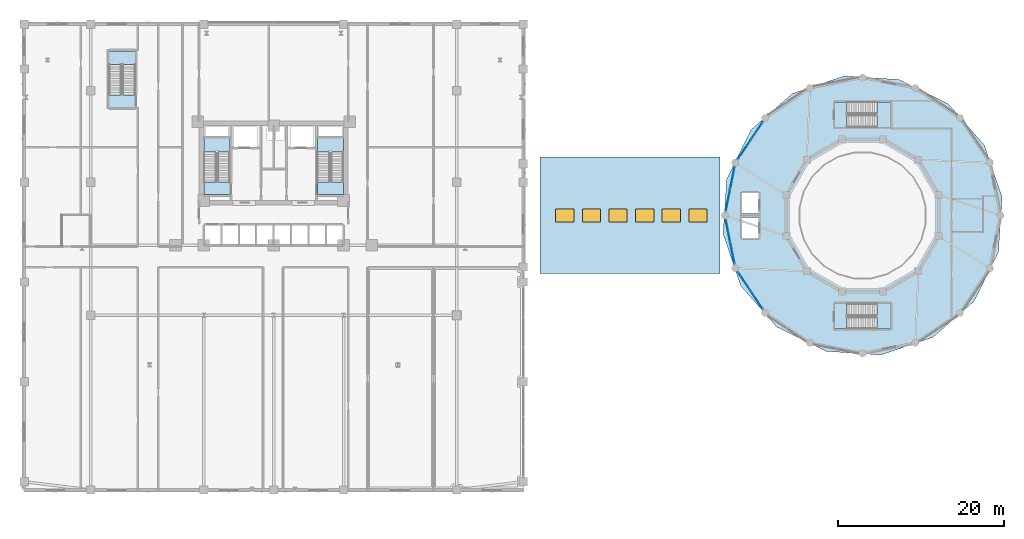
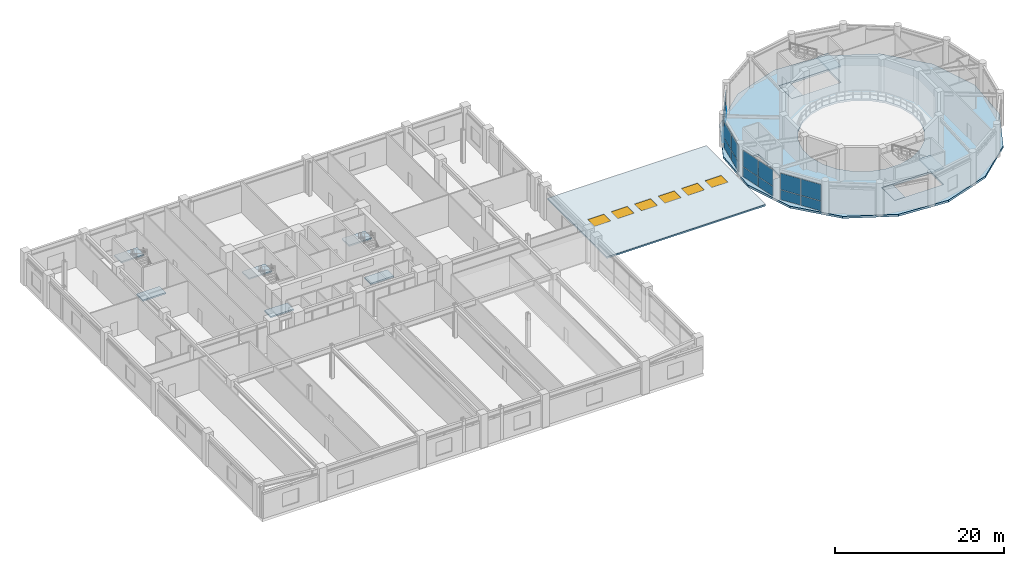
# One storey, part 16 of 34: 16 plates, 12 slabs, 6 windows, 6 openings, 9 elements without a shape of their own.
"""IFC4 building model written with IfcOpenShell, lengths in metres."""

from ifc_helpers import new_model, si_unit, derived_unit, direction, frame, origin, origin_2d, place, context, subcontext, project, spatial, polyline, rectangle, outline, extrude, source, transform, mapped, material, layer, layer_set, type_object, element, fill, aggregate, save


model = new_model("IFC4")

# Units and contexts
model_context = context("Model", 3, precision=1e-05, world=origin(), true_north=direction((0.0, 1.0)))
body_context = subcontext(model_context, "Body", "Model", "MODEL_VIEW")
ifc_project = project(units=[si_unit("LENGTHUNIT", "METRE"), si_unit("AREAUNIT", "SQUARE_METRE"), si_unit("VOLUMEUNIT", "CUBIC_METRE"), si_unit("PLANEANGLEUNIT", "RADIAN"), si_unit("MASSUNIT", "GRAM", prefix="KILO"), derived_unit("THERMALTRANSMITTANCEUNIT", [(si_unit("POWERUNIT", "WATT"), 1), (si_unit("LENGTHUNIT", "METRE"), -2), (si_unit("THERMODYNAMICTEMPERATUREUNIT", "KELVIN"), -1)])], contexts=[model_context])

# Site, building, storey
site_placement = place(None, origin())
site = spatial("IfcSite", under=ifc_project, at=site_placement, CompositionType="ELEMENT")
building_placement = place(site_placement, origin())
building = spatial("IfcBuilding", under=site, at=building_placement, Name="Korsvarv Bourse and Concert Hall", CompositionType="ELEMENT")
storey_placement = place(building_placement, frame((0.0, 0.0, 14.39990234375)))
storey = spatial("IfcBuildingStorey", under=building, at=storey_placement, Name="L03", CompositionType="ELEMENT", Elevation=14.39990234375)

# Slabs
ifc_material_1 = material(Name="Concrete C45/55", Category="concrete")
ifc_layer_1 = layer(ifc_material_1, 0.300048828125)
ifc_layer_set_1 = layer_set([ifc_layer_1], Name="Concrete C45/55")
slab_type_1 = type_object("IfcSlabType", Name="SLB-CH0", PredefinedType="FLOOR", material=ifc_layer_set_1)
slab_1_placement = place(storey_placement, frame((0.0, 0.0, -0.2998046875)))
element("IfcSlab", 1, at=slab_1_placement, inside=storey, type_object=slab_type_1, Name="L03 Concert Hall floor slab", PredefinedType="FLOOR", context=body_context, shape_type="SweptSolid", body=[
    extrude(outline(polyline([(123.572509765625, 38.2080078125), (121.45068359375, 44.45849609375), (117.098388671875, 49.42138671875), (111.178466796875, 52.3408203125), (104.591796875, 52.7724609375), (98.34130859375, 50.650634765625), (93.378662109375, 46.298583984375), (90.459228515625, 40.37841796875), (90.027587890625, 33.7919921875), (92.1494140625, 27.54150390625), (96.50146484375, 22.57861328125), (102.42138671875, 19.6591796875), (109.008056640625, 19.2275390625), (115.258544921875, 21.349365234375), (120.22119140625, 25.701416015625), (123.140625, 31.62158203125), (123.572509765625, 38.2080078125)]), holes=[polyline([(103.449951171875, 46.60009765625), (110.14990234375, 46.60009765625), (110.14990234375, 49.659912109375), (103.449951171875, 49.659912109375), (103.449951171875, 46.60009765625)]), polyline([(103.449951171875, 22.340087890625), (110.14990234375, 22.340087890625), (110.14990234375, 25.39990234375), (103.449951171875, 25.39990234375), (103.449951171875, 22.340087890625)]), polyline([(92.320068359375, 36.219970703125), (94.280029296875, 36.219970703125), (94.280029296875, 38.679931640625), (92.320068359375, 38.679931640625), (92.320068359375, 36.219970703125)]), polyline([(92.320068359375, 33.320068359375), (94.280029296875, 33.320068359375), (94.280029296875, 35.780029296875), (92.320068359375, 35.780029296875), (92.320068359375, 33.320068359375)]), polyline([(114.278564453125, 36.984619140625), (113.768798828125, 38.88671875), (112.7841796875, 40.591796875), (111.391845703125, 41.984375), (109.6865234375, 42.968994140625), (107.78466796875, 43.478515625), (105.8154296875, 43.478515625), (103.913330078125, 42.968994140625), (102.2080078125, 41.984375), (100.815673828125, 40.591796875), (99.8310546875, 38.88671875), (99.321533203125, 36.984619140625), (99.321533203125, 35.015380859375), (99.8310546875, 33.11328125), (100.815673828125, 31.408203125), (102.2080078125, 30.015625), (103.913330078125, 29.031005859375), (105.8154296875, 28.521484375), (107.78466796875, 28.521484375), (109.6865234375, 29.031005859375), (111.391845703125, 30.015625), (112.7841796875, 31.408203125), (113.768798828125, 33.11328125), (114.278564453125, 35.015380859375), (114.278564453125, 36.984619140625)])]), origin(), (0.0, 0.0, 1.0), 0.2998046875),
])
ifc_material_2 = material(Name="Precast concrete C45/55", Category="concrete")
ifc_layer_2 = layer(ifc_material_2, 0.199951171875)
ifc_layer_set_2 = layer_set([ifc_layer_2], Name="Precast concrete C45/55")
slab_type_2 = type_object("IfcSlabType", Name="SLB-FLND-T", PredefinedType="LANDING", material=ifc_layer_set_2)
slab_2_placement = place(storey_placement, frame((0.0, 0.0, -0.199951171875)))
element("IfcSlab", 2, at=slab_2_placement, inside=storey, type_object=slab_type_2, Name="L03 Stair ST-T1 Floor Landing Slab", PredefinedType="LANDING", context=body_context, shape_type="SweptSolid", body=[
    extrude(outline(polyline([(30.760009765625, 38.5), (30.760009765625, 40.0), (27.60009765625, 40.0), (27.60009765625, 38.5), (30.760009765625, 38.5)])), origin(), (0.0, 0.0, 1.0), 0.199951171875),
])
slab_3_placement = place(storey_placement, frame((0.0, 0.0, -0.199951171875)))
element("IfcSlab", 3, at=slab_3_placement, inside=storey, type_object=slab_type_2, Name="L03 Stair ST-T2 Floor Landing Slab", PredefinedType="LANDING", context=body_context, shape_type="SweptSolid", body=[
    extrude(outline(polyline([(44.39990234375, 38.5), (44.39990234375, 40.0), (41.239990234375, 40.0), (41.239990234375, 38.5), (44.39990234375, 38.5)])), origin(), (0.0, 0.0, 1.0), 0.199951171875),
])
slab_4_placement = place(storey_placement, frame((0.0, 0.0, -0.199951171875)))
element("IfcSlab", 4, at=slab_4_placement, inside=storey, type_object=slab_type_2, Name="L03 Stair ST-PD1 Floor Landing Slab", PredefinedType="LANDING", context=body_context, shape_type="SweptSolid", body=[
    extrude(outline(polyline([(19.360107421875, 49.0), (19.360107421875, 50.5), (16.199951171875, 50.5), (16.199951171875, 49.0), (19.360107421875, 49.0)])), origin(), (0.0, 0.0, 1.0), 0.199951171875),
])
slab_5_placement = place(storey_placement, frame((0.0, 0.0, -0.199951171875)))
element("IfcSlab", 5, at=slab_5_placement, inside=storey, type_object=slab_type_2, Name="L03 Stair ST-CH1 Floor Landing Slab", PredefinedType="LANDING", context=body_context, shape_type="SweptSolid", body=[
    extrude(outline(polyline([(103.449951171875, 46.60009765625), (104.89990234375, 46.60009765625), (104.89990234375, 49.659912109375), (103.449951171875, 49.659912109375), (103.449951171875, 46.60009765625)])), origin(), (0.0, 0.0, 1.0), 0.199951171875),
])
slab_6_placement = place(storey_placement, frame((0.0, 0.0, -0.199951171875)))
element("IfcSlab", 6, at=slab_6_placement, inside=storey, type_object=slab_type_2, Name="L03 Stair ST-CH2 Floor Landing Slab", PredefinedType="LANDING", context=body_context, shape_type="SweptSolid", body=[
    extrude(outline(polyline([(103.449951171875, 22.340087890625), (104.89990234375, 22.340087890625), (104.89990234375, 25.39990234375), (103.449951171875, 25.39990234375), (103.449951171875, 22.340087890625)])), origin(), (0.0, 0.0, 1.0), 0.199951171875),
])

# Slab, openings, windows
ifc_layer_3 = layer(ifc_material_1, 0.219970703125)
ifc_layer_set_3 = layer_set([ifc_layer_3], Name="Concrete C45/55")
slab_type_3 = type_object("IfcSlabType", Name="SLB-RF3", PredefinedType="ROOF", material=ifc_layer_set_3)
slab_7_placement = place(storey_placement, origin())
slab_7 = element("IfcSlab", 7, at=slab_7_placement, inside=storey, type_object=slab_type_3, Name="L03 link gallery flat roof slab", PredefinedType="ROOF", context=body_context, shape_type="SweptSolid", body=[
    extrude(outline(polyline([(68.0, 29.0), (89.679931640625, 29.0), (89.679931640625, 43.0), (68.0, 43.0), (68.0, 29.0)]), holes=[polyline([(69.89990234375, 35.199951171875), (72.10009765625, 35.199951171875), (72.10009765625, 36.800048828125), (69.89990234375, 36.800048828125), (69.89990234375, 35.199951171875)]), polyline([(73.10009765625, 35.199951171875), (75.300048828125, 35.199951171875), (75.300048828125, 36.800048828125), (73.10009765625, 36.800048828125), (73.10009765625, 35.199951171875)]), polyline([(76.300048828125, 35.199951171875), (78.5, 35.199951171875), (78.5, 36.800048828125), (76.300048828125, 36.800048828125), (76.300048828125, 35.199951171875)]), polyline([(79.5, 35.199951171875), (81.699951171875, 35.199951171875), (81.699951171875, 36.800048828125), (79.5, 36.800048828125), (79.5, 35.199951171875)]), polyline([(82.699951171875, 35.199951171875), (84.89990234375, 35.199951171875), (84.89990234375, 36.800048828125), (82.699951171875, 36.800048828125), (82.699951171875, 35.199951171875)]), polyline([(85.89990234375, 35.199951171875), (88.10009765625, 35.199951171875), (88.10009765625, 36.800048828125), (85.89990234375, 36.800048828125), (85.89990234375, 35.199951171875)])]), origin(), (0.0, 0.0, 1.0), 0.22021484375),
])
opening_1_placement = place(slab_7_placement, frame((71.0, 36.0, -0.010009765625)))
opening_1 = element("IfcOpeningElement", 8, at=opening_1_placement, cuts=slab_7, Name="Opening SK-01", PredefinedType="OPENING", context=body_context, shape_type="SweptSolid", body=[
    extrude(rectangle(XDim=2.199951171875, YDim=1.60009765625, at=origin_2d()), origin(), (0.0, 0.0, 1.0), 0.240234375),
])
opening_2_placement = place(slab_7_placement, frame((74.199951171875, 36.0, -0.010009765625)))
opening_2 = element("IfcOpeningElement", 9, at=opening_2_placement, cuts=slab_7, Name="Opening SK-01", PredefinedType="OPENING", context=body_context, shape_type="SweptSolid", body=[
    extrude(rectangle(XDim=2.199951171875, YDim=1.60009765625, at=origin_2d()), origin(), (0.0, 0.0, 1.0), 0.240234375),
])
opening_3_placement = place(slab_7_placement, frame((77.39990234375, 36.0, -0.010009765625)))
opening_3 = element("IfcOpeningElement", 10, at=opening_3_placement, cuts=slab_7, Name="Opening SK-01", PredefinedType="OPENING", context=body_context, shape_type="SweptSolid", body=[
    extrude(rectangle(XDim=2.199951171875, YDim=1.60009765625, at=origin_2d()), origin(), (0.0, 0.0, 1.0), 0.240234375),
])
opening_4_placement = place(slab_7_placement, frame((80.60009765625, 36.0, -0.010009765625)))
opening_4 = element("IfcOpeningElement", 11, at=opening_4_placement, cuts=slab_7, Name="Opening SK-01", PredefinedType="OPENING", context=body_context, shape_type="SweptSolid", body=[
    extrude(rectangle(XDim=2.199951171875, YDim=1.60009765625, at=origin_2d()), origin(), (0.0, 0.0, 1.0), 0.240234375),
])
opening_5_placement = place(slab_7_placement, frame((83.800048828125, 36.0, -0.010009765625)))
opening_5 = element("IfcOpeningElement", 12, at=opening_5_placement, cuts=slab_7, Name="Opening SK-01", PredefinedType="OPENING", context=body_context, shape_type="SweptSolid", body=[
    extrude(rectangle(XDim=2.199951171875, YDim=1.60009765625, at=origin_2d()), origin(), (0.0, 0.0, 1.0), 0.240234375),
])
opening_6_placement = place(slab_7_placement, frame((87.0, 36.0, -0.010009765625)))
opening_6 = element("IfcOpeningElement", 13, at=opening_6_placement, cuts=slab_7, Name="Opening SK-01", PredefinedType="OPENING", context=body_context, shape_type="SweptSolid", body=[
    extrude(rectangle(XDim=2.199951171875, YDim=1.60009765625, at=origin_2d()), origin(), (0.0, 0.0, 1.0), 0.240234375),
])
ifc_material_3 = material(Name="Thermally broken aluminium frame with triple low-E glass", Category="glass")
window_type = type_object("IfcWindowType", Name="WIN-SKY1", PartitioningType="SINGLE_PANEL", PredefinedType="SKYLIGHT", material=ifc_material_3)
window_1_placement = place(opening_1_placement, frame((0.0, 0.0, 0.18017578125)))
window_1 = element("IfcWindow", 14, at=window_1_placement, inside=storey, type_object=window_type, Name="Link Gallery Roof Skylight SK-01", OverallHeight=1.60009765625, OverallWidth=2.199951171875, PartitioningType="SINGLE_PANEL", PredefinedType="SKYLIGHT", context=body_context, shape_type="SweptSolid", body=[
    extrude(rectangle(XDim=2.199951171875, YDim=1.60009765625, at=origin_2d()), origin(), (0.0, 0.0, 1.0), 0.050048828125),
])
fill(opening_1, window_1)
window_2_placement = place(opening_2_placement, frame((0.0, 0.0, 0.18017578125)))
window_2 = element("IfcWindow", 15, at=window_2_placement, inside=storey, type_object=window_type, Name="Link Gallery Roof Skylight SK-02", OverallHeight=1.60009765625, OverallWidth=2.199951171875, PartitioningType="SINGLE_PANEL", PredefinedType="SKYLIGHT", context=body_context, shape_type="SweptSolid", body=[
    extrude(rectangle(XDim=2.199951171875, YDim=1.60009765625, at=origin_2d()), origin(), (0.0, 0.0, 1.0), 0.050048828125),
])
fill(opening_2, window_2)
window_3_placement = place(opening_3_placement, frame((0.0, 0.0, 0.18017578125)))
window_3 = element("IfcWindow", 16, at=window_3_placement, inside=storey, type_object=window_type, Name="Link Gallery Roof Skylight SK-03", OverallHeight=1.60009765625, OverallWidth=2.199951171875, PartitioningType="SINGLE_PANEL", PredefinedType="SKYLIGHT", context=body_context, shape_type="SweptSolid", body=[
    extrude(rectangle(XDim=2.199951171875, YDim=1.60009765625, at=origin_2d()), origin(), (0.0, 0.0, 1.0), 0.050048828125),
])
fill(opening_3, window_3)
window_4_placement = place(opening_4_placement, frame((0.0, 0.0, 0.18017578125)))
window_4 = element("IfcWindow", 17, at=window_4_placement, inside=storey, type_object=window_type, Name="Link Gallery Roof Skylight SK-04", OverallHeight=1.60009765625, OverallWidth=2.199951171875, PartitioningType="SINGLE_PANEL", PredefinedType="SKYLIGHT", context=body_context, shape_type="SweptSolid", body=[
    extrude(rectangle(XDim=2.199951171875, YDim=1.60009765625, at=origin_2d()), origin(), (0.0, 0.0, 1.0), 0.050048828125),
])
fill(opening_4, window_4)
window_5_placement = place(opening_5_placement, frame((0.0, 0.0, 0.18017578125)))
window_5 = element("IfcWindow", 18, at=window_5_placement, inside=storey, type_object=window_type, Name="Link Gallery Roof Skylight SK-05", OverallHeight=1.60009765625, OverallWidth=2.199951171875, PartitioningType="SINGLE_PANEL", PredefinedType="SKYLIGHT", context=body_context, shape_type="SweptSolid", body=[
    extrude(rectangle(XDim=2.199951171875, YDim=1.60009765625, at=origin_2d()), origin(), (0.0, 0.0, 1.0), 0.050048828125),
])
fill(opening_5, window_5)
window_6_placement = place(opening_6_placement, frame((0.0, 0.0, 0.18017578125)))
window_6 = element("IfcWindow", 19, at=window_6_placement, inside=storey, type_object=window_type, Name="Link Gallery Roof Skylight SK-06", OverallHeight=1.60009765625, OverallWidth=2.199951171875, PartitioningType="SINGLE_PANEL", PredefinedType="SKYLIGHT", context=body_context, shape_type="SweptSolid", body=[
    extrude(rectangle(XDim=2.199951171875, YDim=1.60009765625, at=origin_2d()), origin(), (0.0, 0.0, 1.0), 0.050048828125),
])
fill(opening_6, window_6)

# Stair, slab
stair_type_1 = type_object("IfcStairType", Name="STR-TYPE-02", PredefinedType="HALF_TURN_STAIR", material=ifc_material_2)
stair_1_placement = place(storey_placement, origin())
stair_1 = element("IfcStair", 20, at=stair_1_placement, inside=storey, type_object=stair_type_1, Name="L03 Tower West Exit Stair ST-T1", PredefinedType="HALF_TURN_STAIR")
ifc_layer_4 = layer(ifc_material_2, 0.199951171875)
ifc_layer_set_4 = layer_set([ifc_layer_4], Name="Precast concrete C45/55")
slab_type_4 = type_object("IfcSlabType", Name="SLB-ST-LND", PredefinedType="LANDING", material=ifc_layer_set_4)
slab_8_placement = place(storey_placement, frame((0.0, 0.0, 2.2001953125)))
slab_8 = element("IfcSlab", 21, at=slab_8_placement, type_object=slab_type_4, Name="ST-T1 landing 1", PredefinedType="LANDING", context=body_context, shape_type="SweptSolid", body=[
    extrude(outline(polyline([(30.760009765625, 43.639892578125), (30.760009765625, 45.300048828125), (27.60009765625, 45.300048828125), (27.60009765625, 43.639892578125), (30.760009765625, 43.639892578125)])), origin(), (0.0, 0.0, 1.0), 0.199951171875),
])
aggregate(stair_1, [slab_8])

stair_2_placement = place(storey_placement, origin())
stair_2 = element("IfcStair", 22, at=stair_2_placement, inside=storey, type_object=stair_type_1, Name="L03 Tower East Exit Stair ST-T2", PredefinedType="HALF_TURN_STAIR")
slab_9_placement = place(storey_placement, frame((0.0, 0.0, 2.2001953125)))
slab_9 = element("IfcSlab", 23, at=slab_9_placement, type_object=slab_type_4, Name="ST-T2 landing 1", PredefinedType="LANDING", context=body_context, shape_type="SweptSolid", body=[
    extrude(outline(polyline([(44.39990234375, 43.639892578125), (44.39990234375, 45.300048828125), (41.239990234375, 45.300048828125), (41.239990234375, 43.639892578125), (44.39990234375, 43.639892578125)])), origin(), (0.0, 0.0, 1.0), 0.199951171875),
])
aggregate(stair_2, [slab_9])

stair_3_placement = place(storey_placement, origin())
stair_3 = element("IfcStair", 24, at=stair_3_placement, inside=storey, type_object=stair_type_1, Name="L03 Exchange Podium Grand Stair ST-PD1", PredefinedType="HALF_TURN_STAIR")
slab_10_placement = place(storey_placement, frame((0.0, 0.0, 2.2001953125)))
slab_10 = element("IfcSlab", 25, at=slab_10_placement, type_object=slab_type_4, Name="ST-PD1 landing 1", PredefinedType="LANDING", context=body_context, shape_type="SweptSolid", body=[
    extrude(outline(polyline([(19.360107421875, 54.139892578125), (19.360107421875, 55.800048828125), (16.199951171875, 55.800048828125), (16.199951171875, 54.139892578125), (19.360107421875, 54.139892578125)])), origin(), (0.0, 0.0, 1.0), 0.199951171875),
])
aggregate(stair_3, [slab_10])

stair_type_2 = type_object("IfcStairType", Name="STR-TYPE-07", PredefinedType="HALF_TURN_STAIR", material=ifc_material_2)
stair_4_placement = place(storey_placement, origin())
stair_4 = element("IfcStair", 26, at=stair_4_placement, inside=storey, type_object=stair_type_2, Name="L03 Concert Hall North Exit Stair ST-CH1", PredefinedType="HALF_TURN_STAIR")
slab_11_placement = place(storey_placement, frame((0.0, 0.0, 2.2001953125)))
slab_11 = element("IfcSlab", 27, at=slab_11_placement, type_object=slab_type_4, Name="ST-CH1 landing 1", PredefinedType="LANDING", context=body_context, shape_type="SweptSolid", body=[
    extrude(outline(polyline([(108.5400390625, 46.60009765625), (110.14990234375, 46.60009765625), (110.14990234375, 49.659912109375), (108.5400390625, 49.659912109375), (108.5400390625, 46.60009765625)])), origin(), (0.0, 0.0, 1.0), 0.199951171875),
])
aggregate(stair_4, [slab_11])

stair_5_placement = place(storey_placement, origin())
stair_5 = element("IfcStair", 28, at=stair_5_placement, inside=storey, type_object=stair_type_2, Name="L03 Concert Hall South Exit Stair ST-CH2", PredefinedType="HALF_TURN_STAIR")
slab_12_placement = place(storey_placement, frame((0.0, 0.0, 2.2001953125)))
slab_12 = element("IfcSlab", 29, at=slab_12_placement, type_object=slab_type_4, Name="ST-CH2 landing 1", PredefinedType="LANDING", context=body_context, shape_type="SweptSolid", body=[
    extrude(outline(polyline([(108.5400390625, 22.340087890625), (110.14990234375, 22.340087890625), (110.14990234375, 25.39990234375), (108.5400390625, 25.39990234375), (108.5400390625, 22.340087890625)])), origin(), (0.0, 0.0, 1.0), 0.199951171875),
])
aggregate(stair_5, [slab_12])

# Curtain wall, plates
ifc_material_4 = material(Name="Anodised aluminium and triple low-E glazing", Category="glass")
ifc_layer_5 = layer(ifc_material_4, 0.22998046875)
ifc_layer_set_5 = layer_set([ifc_layer_5], Name="Anodised aluminium and triple low-E glazing")
curtain_wall_type = type_object("IfcCurtainWallType", Name="CW-SYS-6", PredefinedType="NOTDEFINED", material=ifc_layer_set_5)
curtain_wall_1_placement = place(storey_placement, origin())
curtain_wall_1 = element("IfcCurtainWall", 30, at=curtain_wall_1_placement, inside=storey, type_object=curtain_wall_type, Name="L03 CW6 curtain wall CW-L03-CH07", PredefinedType="NOTDEFINED")
ifc_material_5 = material(Name="Tempered triple insulated low-E architectural glass", Category="glass")
ifc_layer_6 = layer(ifc_material_5, 0.0380859375)
ifc_layer_set_6 = layer_set([ifc_layer_6], Name="Tempered triple insulated low-E architectural glass")
plate_type = type_object("IfcPlateType", Name="CWP-VIS2", PredefinedType="CURTAIN_PANEL", material=ifc_layer_set_6)
shared_shape_1 = source(origin(), body_context, "Body", "SweptSolid", [
    extrude(rectangle(XDim=2.62353515625, YDim=0.0380859375, at=origin_2d()), origin(), (0.0, 0.0, 1.0), 1.403564453125),
])
plate_1_placement = place(storey_placement, frame((94.0517578125, 46.1376953125, 0.06494140625), z_axis=(0.0, 0.0, 1.0), x_axis=(-0.555571024599, -0.831469083386, 0.0)))
plate_1 = element("IfcPlate", 31, at=plate_1_placement, type_object=plate_type, Name="CW6 panel 1.1", PredefinedType="CURTAIN_PANEL", context=body_context, shape_type="MappedRepresentation", body=[
    mapped(shared_shape_1, transform((0.0, 0.0, 0.0), scale=1.0)),
])
plate_2_placement = place(storey_placement, frame((92.555419921875, 43.898193359375, 0.06494140625), z_axis=(0.0, 0.0, 1.0), x_axis=(-0.555571024599, -0.831469083386, 0.0)))
plate_2 = element("IfcPlate", 32, at=plate_2_placement, type_object=plate_type, Name="CW6 panel 2.1", PredefinedType="CURTAIN_PANEL", context=body_context, shape_type="MappedRepresentation", body=[
    mapped(shared_shape_1, transform((0.0, 0.0, 0.0), scale=1.0)),
])

curtain_wall_2_placement = place(storey_placement, origin())
curtain_wall_2 = element("IfcCurtainWall", 33, at=curtain_wall_2_placement, inside=storey, type_object=curtain_wall_type, Name="L03 CW6 curtain wall CW-L03-CH08", PredefinedType="NOTDEFINED")
plate_3_placement = place(storey_placement, frame((91.142578125, 40.487548828125, 0.06494140625), z_axis=(0.0, 0.0, 1.0), x_axis=(-0.195087012862, -0.980785938629, 0.0)))
plate_3 = element("IfcPlate", 34, at=plate_3_placement, type_object=plate_type, Name="CW6 panel 1.1", PredefinedType="CURTAIN_PANEL", context=body_context, shape_type="MappedRepresentation", body=[
    mapped(shared_shape_1, transform((0.0, 0.0, 0.0), scale=1.0)),
])
plate_4_placement = place(storey_placement, frame((90.6171875, 37.845703125, 0.06494140625), z_axis=(0.0, 0.0, 1.0), x_axis=(-0.195087012862, -0.980785938629, 0.0)))
plate_4 = element("IfcPlate", 35, at=plate_4_placement, type_object=plate_type, Name="CW6 panel 2.1", PredefinedType="CURTAIN_PANEL", context=body_context, shape_type="MappedRepresentation", body=[
    mapped(shared_shape_1, transform((0.0, 0.0, 0.0), scale=1.0)),
])

curtain_wall_3_placement = place(storey_placement, origin())
curtain_wall_3 = element("IfcCurtainWall", 36, at=curtain_wall_3_placement, inside=storey, type_object=curtain_wall_type, Name="L03 CW6 curtain wall CW-L03-CH09", PredefinedType="NOTDEFINED")
plate_5_placement = place(storey_placement, frame((90.6171875, 34.154296875, 0.06494140625), z_axis=(0.0, 0.0, 1.0), x_axis=(0.195087012862, -0.980785938629, 0.0)))
plate_5 = element("IfcPlate", 37, at=plate_5_placement, type_object=plate_type, Name="CW6 panel 1.1", PredefinedType="CURTAIN_PANEL", context=body_context, shape_type="MappedRepresentation", body=[
    mapped(shared_shape_1, transform((0.0, 0.0, 0.0), scale=1.0)),
])
plate_6_placement = place(storey_placement, frame((91.142578125, 31.512451171875, 0.06494140625), z_axis=(0.0, 0.0, 1.0), x_axis=(0.195087012862, -0.980785938629, 0.0)))
plate_6 = element("IfcPlate", 38, at=plate_6_placement, type_object=plate_type, Name="CW6 panel 2.1", PredefinedType="CURTAIN_PANEL", context=body_context, shape_type="MappedRepresentation", body=[
    mapped(shared_shape_1, transform((0.0, 0.0, 0.0), scale=1.0)),
])

curtain_wall_4_placement = place(storey_placement, origin())
curtain_wall_4 = element("IfcCurtainWall", 39, at=curtain_wall_4_placement, inside=storey, type_object=curtain_wall_type, Name="L03 CW6 curtain wall CW-L03-CH10", PredefinedType="NOTDEFINED")
plate_7_placement = place(storey_placement, frame((92.555419921875, 28.101806640625, 0.06494140625), z_axis=(0.0, 0.0, 1.0), x_axis=(0.555571024599, -0.831469083386, 0.0)))
plate_7 = element("IfcPlate", 40, at=plate_7_placement, type_object=plate_type, Name="CW6 panel 1.1", PredefinedType="CURTAIN_PANEL", context=body_context, shape_type="MappedRepresentation", body=[
    mapped(shared_shape_1, transform((0.0, 0.0, 0.0), scale=1.0)),
])
plate_8_placement = place(storey_placement, frame((94.0517578125, 25.8623046875, 0.06494140625), z_axis=(0.0, 0.0, 1.0), x_axis=(0.555571024599, -0.831469083386, 0.0)))
plate_8 = element("IfcPlate", 41, at=plate_8_placement, type_object=plate_type, Name="CW6 panel 2.1", PredefinedType="CURTAIN_PANEL", context=body_context, shape_type="MappedRepresentation", body=[
    mapped(shared_shape_1, transform((0.0, 0.0, 0.0), scale=1.0)),
])

# Plate
shared_shape_2 = source(origin(), body_context, "Body", "SweptSolid", [
    extrude(rectangle(XDim=2.62353515625, YDim=0.0380859375, at=origin_2d()), origin(), (0.0, 0.0, 1.0), 2.3515625),
])
plate_9_placement = place(storey_placement, frame((94.0517578125, 46.1376953125, 1.533447265625), z_axis=(0.0, 0.0, 1.0), x_axis=(-0.555571024599, -0.831469083386, 0.0)))
plate_9 = element("IfcPlate", 42, at=plate_9_placement, type_object=plate_type, Name="CW6 panel 1.2", PredefinedType="CURTAIN_PANEL", context=body_context, shape_type="MappedRepresentation", body=[
    mapped(shared_shape_2, transform((0.0, 0.0, 0.0), scale=1.0)),
])

plate_10_placement = place(storey_placement, frame((92.555419921875, 43.898193359375, 1.533447265625), z_axis=(0.0, 0.0, 1.0), x_axis=(-0.555571024599, -0.831469083386, 0.0)))
plate_10 = element("IfcPlate", 43, at=plate_10_placement, type_object=plate_type, Name="CW6 panel 2.2", PredefinedType="CURTAIN_PANEL", context=body_context, shape_type="MappedRepresentation", body=[
    mapped(shared_shape_2, transform((0.0, 0.0, 0.0), scale=1.0)),
])

aggregate(curtain_wall_1, [plate_1, plate_9, plate_2, plate_10])

plate_11_placement = place(storey_placement, frame((91.142578125, 40.487548828125, 1.533447265625), z_axis=(0.0, 0.0, 1.0), x_axis=(-0.195087012862, -0.980785938629, 0.0)))
plate_11 = element("IfcPlate", 44, at=plate_11_placement, type_object=plate_type, Name="CW6 panel 1.2", PredefinedType="CURTAIN_PANEL", context=body_context, shape_type="MappedRepresentation", body=[
    mapped(shared_shape_2, transform((0.0, 0.0, 0.0), scale=1.0)),
])

plate_12_placement = place(storey_placement, frame((90.6171875, 37.845703125, 1.533447265625), z_axis=(0.0, 0.0, 1.0), x_axis=(-0.195087012862, -0.980785938629, 0.0)))
plate_12 = element("IfcPlate", 45, at=plate_12_placement, type_object=plate_type, Name="CW6 panel 2.2", PredefinedType="CURTAIN_PANEL", context=body_context, shape_type="MappedRepresentation", body=[
    mapped(shared_shape_2, transform((0.0, 0.0, 0.0), scale=1.0)),
])

aggregate(curtain_wall_2, [plate_3, plate_11, plate_4, plate_12])

plate_13_placement = place(storey_placement, frame((90.6171875, 34.154296875, 1.533447265625), z_axis=(0.0, 0.0, 1.0), x_axis=(0.195087012862, -0.980785938629, 0.0)))
plate_13 = element("IfcPlate", 46, at=plate_13_placement, type_object=plate_type, Name="CW6 panel 1.2", PredefinedType="CURTAIN_PANEL", context=body_context, shape_type="MappedRepresentation", body=[
    mapped(shared_shape_2, transform((0.0, 0.0, 0.0), scale=1.0)),
])

plate_14_placement = place(storey_placement, frame((91.142578125, 31.512451171875, 1.533447265625), z_axis=(0.0, 0.0, 1.0), x_axis=(0.195087012862, -0.980785938629, 0.0)))
plate_14 = element("IfcPlate", 47, at=plate_14_placement, type_object=plate_type, Name="CW6 panel 2.2", PredefinedType="CURTAIN_PANEL", context=body_context, shape_type="MappedRepresentation", body=[
    mapped(shared_shape_2, transform((0.0, 0.0, 0.0), scale=1.0)),
])

aggregate(curtain_wall_3, [plate_5, plate_13, plate_6, plate_14])

plate_15_placement = place(storey_placement, frame((92.555419921875, 28.101806640625, 1.533447265625), z_axis=(0.0, 0.0, 1.0), x_axis=(0.555571024599, -0.831469083386, 0.0)))
plate_15 = element("IfcPlate", 48, at=plate_15_placement, type_object=plate_type, Name="CW6 panel 1.2", PredefinedType="CURTAIN_PANEL", context=body_context, shape_type="MappedRepresentation", body=[
    mapped(shared_shape_2, transform((0.0, 0.0, 0.0), scale=1.0)),
])

plate_16_placement = place(storey_placement, frame((94.0517578125, 25.8623046875, 1.533447265625), z_axis=(0.0, 0.0, 1.0), x_axis=(0.555571024599, -0.831469083386, 0.0)))
plate_16 = element("IfcPlate", 49, at=plate_16_placement, type_object=plate_type, Name="CW6 panel 2.2", PredefinedType="CURTAIN_PANEL", context=body_context, shape_type="MappedRepresentation", body=[
    mapped(shared_shape_2, transform((0.0, 0.0, 0.0), scale=1.0)),
])

aggregate(curtain_wall_4, [plate_7, plate_15, plate_8, plate_16])

save(model, "model.ifc")
